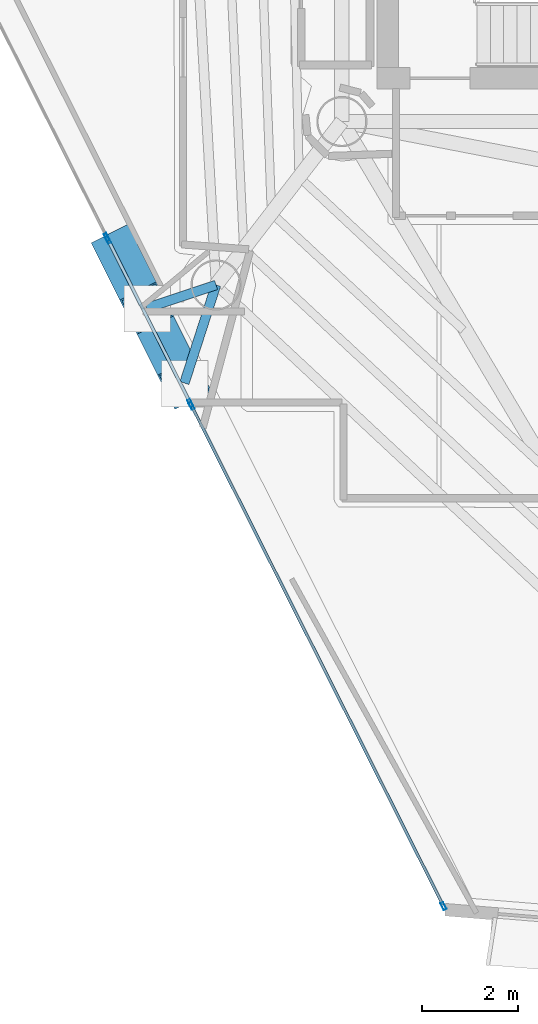
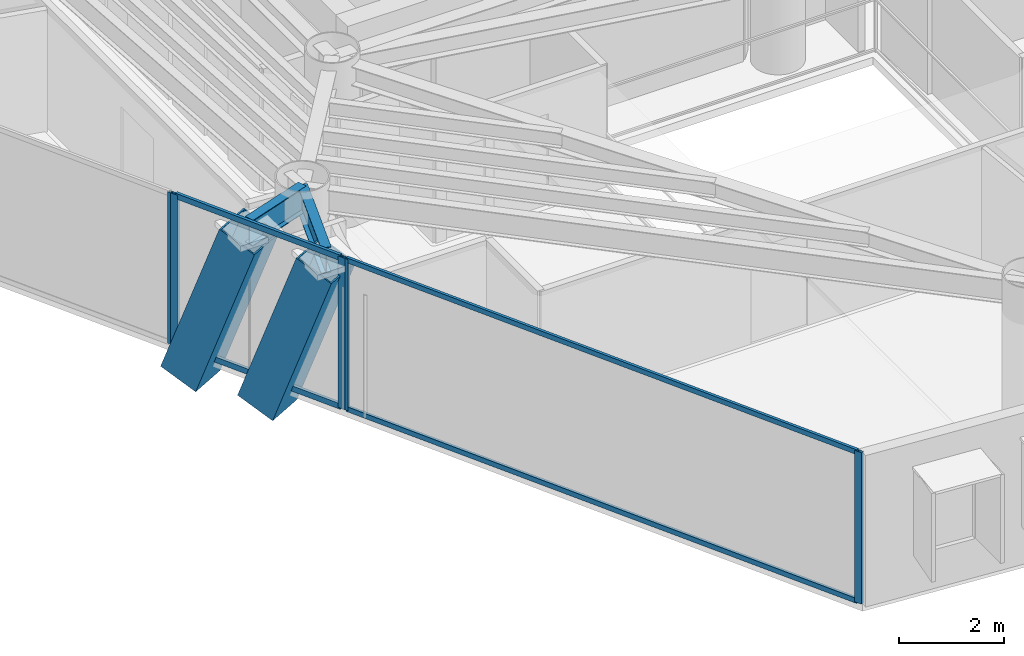
# One storey, part 2 of 19: 11 members, 2 beams, 3 elements without a shape of their own.
"""IFC4 building model written with IfcOpenShell, lengths in metres."""

from ifc_helpers import new_model, si_unit, direction, frame, origin, origin_2d, place, context, subcontext, project, spatial, hollow_rectangle, i_section, extrude, material, layer, layer_set, material_profile, profile_set, type_object, element, aggregate, save


model = new_model("IFC4")

# Units and contexts
model_context = context("Model", 3, precision=1e-05, world=origin(), true_north=direction((0.0, 1.0)))
body_context = subcontext(model_context, "Body", "Model", "MODEL_VIEW")
ifc_project = project(units=[si_unit("LENGTHUNIT", "METRE"), si_unit("AREAUNIT", "SQUARE_METRE"), si_unit("VOLUMEUNIT", "CUBIC_METRE"), si_unit("PLANEANGLEUNIT", "RADIAN"), si_unit("MASSUNIT", "GRAM", prefix="KILO")], contexts=[model_context])

# Site, building, storey
site_placement = place(None, origin())
site = spatial("IfcSite", under=ifc_project, at=site_placement, CompositionType="ELEMENT")
building_placement = place(site_placement, origin())
building = spatial("IfcBuilding", under=site, at=building_placement, Name="Qianvela Tower", CompositionType="ELEMENT")
storey_placement = place(building_placement, frame((0.0, 0.0, 261.199951171875)))
storey = spatial("IfcBuildingStorey", under=building, at=storey_placement, Name="L67", CompositionType="ELEMENT", Elevation=261.199951171875)

# Beams
ifc_material_1 = material(Name="Steel Q355B", Category="steel")
ifc_material_profile_1 = material_profile(ifc_material_1, i_section(OverallWidth=0.199951171875, OverallDepth=0.60009765625, WebThickness=0.010986328125, FlangeThickness=0.01708984375, at=origin_2d()), Name="HN600x200x11x17")
ifc_profile_set_1 = profile_set([ifc_material_profile_1], Name="Steel Q355B")
beam_type = type_object("IfcBeamType", Name="BM-HN600-GIRD", PredefinedType="BEAM", material=ifc_profile_set_1)
beam_1_placement = place(storey_placement, frame((25.971923828125, 20.43701171875, 3.218017578125), z_axis=(-0.948667307165, -0.316275734632, 0.0), x_axis=(0.316275734632, -0.948667307165, 0.0)))
element("IfcBeam", 1, at=beam_1_placement, inside=storey, type_object=beam_type, Name="L67 Mega-Brace Column Tie Bracket F2-1", PredefinedType="BEAM", context=body_context, shape_type="SweptSolid", body=[
    extrude(i_section(OverallWidth=0.199951171875, OverallDepth=0.60009765625, WebThickness=0.010986328125, FlangeThickness=0.01708984375, at=origin_2d()), origin(), (0.0, 0.0, 1.0), 1.52685546875),
])
beam_2_placement = place(storey_placement, frame((25.971923828125, 20.43701171875, 3.218017578125), z_axis=(-0.306853626305, -0.951756718927, 0.0), x_axis=(0.951756718927, -0.306853626305, 0.0)))
element("IfcBeam", 2, at=beam_2_placement, inside=storey, type_object=beam_type, Name="L67 Mega-Brace Column Tie Bracket F2-2", PredefinedType="BEAM", context=body_context, shape_type="SweptSolid", body=[
    extrude(i_section(OverallWidth=0.199951171875, OverallDepth=0.60009765625, WebThickness=0.010986328125, FlangeThickness=0.01708984375, at=origin_2d()), origin(), (0.0, 0.0, 1.0), 2.152099609375),
])

# Curtain wall, members
ifc_material_2 = material(Name="Anodised Architectural Aluminium and Insulated Spandrel Panel", Category="aluminium")
ifc_layer_1 = layer(ifc_material_2, 0.179931640625)
ifc_layer_set_1 = layer_set([ifc_layer_1], Name="Anodised Architectural Aluminium and Insulated Spandrel Panel")
curtain_wall_type_1 = type_object("IfcCurtainWallType", Name="CW-BRACEBAY", PredefinedType="USERDEFINED", material=ifc_layer_set_1)
curtain_wall_1_placement = place(storey_placement, origin())
curtain_wall_1 = element("IfcCurtainWall", 3, at=curtain_wall_1_placement, inside=storey, type_object=curtain_wall_type_1, Name="L67 CW-BRACEBAY Curtain Wall 04B", ObjectType="CURTAIN_WALL_SYSTEM", PredefinedType="USERDEFINED")
ifc_material_3 = material(Name="Anodised Architectural Aluminium 6063-T6", Category="aluminium")
ifc_material_profile_2 = material_profile(ifc_material_3, hollow_rectangle(XDim=0.06494140625, YDim=0.159912109375, WallThickness=0.0048828125, at=origin_2d()), Name="ALU-MULL-65x160")
ifc_profile_set_2 = profile_set([ifc_material_profile_2], Name="Anodised Architectural Aluminium 6063-T6")
member_type_1 = type_object("IfcMemberType", Name="CW-BRACEBAY-MULL", PredefinedType="MULLION", material=ifc_profile_set_2)
member_1_placement = place(storey_placement, frame((23.716552734375, 21.379150390625, 0.0), z_axis=(0.0, 0.0, 1.0), x_axis=(0.893212582067, 0.449634610809, 0.0)))
member_1 = element("IfcMember", 4, at=member_1_placement, type_object=member_type_1, Name="CW-9 mullion 1", PredefinedType="MULLION", context=body_context, shape_type="SweptSolid", body=[
    extrude(hollow_rectangle(XDim=0.06494140625, YDim=0.159912109375, WallThickness=0.0048828125, at=origin_2d()), origin(), (0.0, 0.0, 1.0), 3.52001953125),
])
member_2_placement = place(storey_placement, frame((25.431884765625, 17.971435546875, 0.0), z_axis=(0.0, 0.0, 1.0), x_axis=(0.893212582067, 0.449634610809, 0.0)))
member_2 = element("IfcMember", 5, at=member_2_placement, type_object=member_type_1, Name="CW-9 mullion 2", PredefinedType="MULLION", context=body_context, shape_type="SweptSolid", body=[
    extrude(hollow_rectangle(XDim=0.06494140625, YDim=0.159912109375, WallThickness=0.0048828125, at=origin_2d()), origin(), (0.0, 0.0, 1.0), 3.52001953125),
])
ifc_material_4 = material(Name="Anodised Architectural Aluminium 6063-T6", Category="aluminium")
ifc_material_profile_3 = material_profile(ifc_material_4, hollow_rectangle(XDim=0.06494140625, YDim=0.1298828125, WallThickness=0.00439453125, at=origin_2d()), Name="ALU-TRAN-65x130")
ifc_profile_set_3 = profile_set([ifc_material_profile_3], Name="Anodised Architectural Aluminium 6063-T6")
member_type_2 = type_object("IfcMemberType", Name="CW-BRACEBAY-TRAN", PredefinedType="USERDEFINED", material=ifc_profile_set_3)
member_3_placement = place(storey_placement, frame((23.731201171875, 21.35009765625, 0.032470703125), z_axis=(0.449659757233, -0.893199923156, 0.0), x_axis=(0.893199923156, 0.449659757233, 0.0)))
member_3 = element("IfcMember", 6, at=member_3_placement, type_object=member_type_2, Name="CW-9 transom 1.1", ObjectType="TRANSOM", PredefinedType="USERDEFINED", context=body_context, shape_type="SweptSolid", body=[
    extrude(hollow_rectangle(XDim=0.06494140625, YDim=0.1298828125, WallThickness=0.00439453125, at=origin_2d()), origin(), (0.0, 0.0, 1.0), 3.750244140625),
])
member_4_placement = place(storey_placement, frame((23.731201171875, 21.35009765625, 3.487548828125), z_axis=(0.449659757233, -0.893199923156, 0.0), x_axis=(0.893199923156, 0.449659757233, 0.0)))
member_4 = element("IfcMember", 7, at=member_4_placement, type_object=member_type_2, Name="CW-9 transom 1.2", ObjectType="TRANSOM", PredefinedType="USERDEFINED", context=body_context, shape_type="SweptSolid", body=[
    extrude(hollow_rectangle(XDim=0.06494140625, YDim=0.1298828125, WallThickness=0.00439453125, at=origin_2d()), origin(), (0.0, 0.0, 1.0), 3.750244140625),
])
aggregate(curtain_wall_1, [member_1, member_2, member_3, member_4])

# Curtain wall, member
ifc_material_5 = material(Name="Anodised Architectural Aluminium and Low-E Glass", Category="aluminium")
ifc_layer_2 = layer(ifc_material_5, 0.159912109375)
ifc_layer_set_2 = layer_set([ifc_layer_2], Name="Anodised Architectural Aluminium and Low-E Glass")
curtain_wall_type_2 = type_object("IfcCurtainWallType", Name="CW-COLIV-Z56", PredefinedType="USERDEFINED", material=ifc_layer_set_2)
curtain_wall_2_placement = place(storey_placement, origin())
curtain_wall_2 = element("IfcCurtainWall", 8, at=curtain_wall_2_placement, inside=storey, type_object=curtain_wall_type_2, Name="L67 CW-COLIV-Z56 Curtain Wall 04A", ObjectType="CURTAIN_WALL_SYSTEM", PredefinedType="USERDEFINED")
ifc_material_6 = material(Name="Anodised Architectural Aluminium 6063-T6", Category="aluminium")
ifc_material_profile_4 = material_profile(ifc_material_6, hollow_rectangle(XDim=0.06494140625, YDim=0.159912109375, WallThickness=0.0048828125, at=origin_2d()), Name="ALU-MULL-65x160")
ifc_profile_set_4 = profile_set([ifc_material_profile_4], Name="Anodised Architectural Aluminium 6063-T6")
member_type_3 = type_object("IfcMemberType", Name="CW-COLIV-Z56-MULL", PredefinedType="MULLION", material=ifc_profile_set_4)
member_5_placement = place(storey_placement, frame((23.6875, 21.43701171875, 0.0), z_axis=(0.0, 0.0, 1.0), x_axis=(0.893215875141, 0.449628068959, 0.0)))
member_5 = element("IfcMember", 9, at=member_5_placement, type_object=member_type_3, Name="CW-5 mullion 2", PredefinedType="MULLION", context=body_context, shape_type="SweptSolid", body=[
    extrude(hollow_rectangle(XDim=0.06494140625, YDim=0.159912109375, WallThickness=0.0048828125, at=origin_2d()), origin(), (0.0, 0.0, 1.0), 3.52001953125),
])
aggregate(curtain_wall_2, [member_5])

# Curtain wall, members
curtain_wall_3_placement = place(storey_placement, origin())
curtain_wall_3 = element("IfcCurtainWall", 10, at=curtain_wall_3_placement, inside=storey, type_object=curtain_wall_type_2, Name="L67 CW-COLIV-Z56 Curtain Wall 04C", ObjectType="CURTAIN_WALL_SYSTEM", PredefinedType="USERDEFINED")
member_6_placement = place(storey_placement, frame((25.461181640625, 17.913330078125, 0.0), z_axis=(0.0, 0.0, 1.0), x_axis=(0.893215234087, 0.449629342454, 0.0)))
member_6 = element("IfcMember", 11, at=member_6_placement, type_object=member_type_3, Name="CW-5 mullion 1", PredefinedType="MULLION", context=body_context, shape_type="SweptSolid", body=[
    extrude(hollow_rectangle(XDim=0.06494140625, YDim=0.159912109375, WallThickness=0.0048828125, at=origin_2d()), origin(), (0.0, 0.0, 1.0), 3.52001953125),
])
member_7_placement = place(storey_placement, frame((30.7216796875, 7.462890625, 0.0), z_axis=(0.0, 0.0, 1.0), x_axis=(0.893215234087, 0.449629342454, 0.0)))
member_7 = element("IfcMember", 12, at=member_7_placement, type_object=member_type_3, Name="CW-5 mullion 2", PredefinedType="MULLION", context=body_context, shape_type="SweptSolid", body=[
    extrude(hollow_rectangle(XDim=0.06494140625, YDim=0.159912109375, WallThickness=0.0048828125, at=origin_2d()), origin(), (0.0, 0.0, 1.0), 3.52001953125),
])
ifc_material_7 = material(Name="Anodised Architectural Aluminium 6063-T6", Category="aluminium")
ifc_material_profile_5 = material_profile(ifc_material_7, hollow_rectangle(XDim=0.06005859375, YDim=0.114990234375, WallThickness=0.00390625, at=origin_2d()), Name="ALU-TRAN-60x115")
ifc_profile_set_5 = profile_set([ifc_material_profile_5], Name="Anodised Architectural Aluminium 6063-T6")
member_type_4 = type_object("IfcMemberType", Name="CW-COLIV-Z56-TRAN", PredefinedType="USERDEFINED", material=ifc_profile_set_5)
member_8_placement = place(storey_placement, frame((25.475830078125, 17.88427734375, 0.030029296875), z_axis=(0.449637660836, -0.893211046706, 0.0), x_axis=(0.893211046706, 0.449637660836, 0.0)))
member_8 = element("IfcMember", 13, at=member_8_placement, type_object=member_type_4, Name="CW-5 transom 1.1", ObjectType="TRANSOM", PredefinedType="USERDEFINED", context=body_context, shape_type="SweptSolid", body=[
    extrude(hollow_rectangle(XDim=0.06005859375, YDim=0.114990234375, WallThickness=0.00390625, at=origin_2d()), origin(), (0.0, 0.0, 1.0), 11.634765625),
])
member_9_placement = place(storey_placement, frame((25.475830078125, 17.88427734375, 3.489990234375), z_axis=(0.449637660836, -0.893211046706, 0.0), x_axis=(0.893211046706, 0.449637660836, 0.0)))
member_9 = element("IfcMember", 14, at=member_9_placement, type_object=member_type_4, Name="CW-5 transom 1.2", ObjectType="TRANSOM", PredefinedType="USERDEFINED", context=body_context, shape_type="SweptSolid", body=[
    extrude(hollow_rectangle(XDim=0.06005859375, YDim=0.114990234375, WallThickness=0.00390625, at=origin_2d()), origin(), (0.0, 0.0, 1.0), 11.634765625),
])
aggregate(curtain_wall_3, [member_6, member_7, member_8, member_9])

# Members
ifc_material_8 = material(Name="Steel Q420GJC", Category="steel")
ifc_material_profile_6 = material_profile(ifc_material_8, hollow_rectangle(XDim=0.85009765625, YDim=0.85009765625, WallThickness=0.031982421875, at=origin_2d()), Name="MBOX-850x850x32")
ifc_profile_set_6 = profile_set([ifc_material_profile_6], Name="Steel Q420GJC")
member_type_5 = type_object("IfcMemberType", Name="MBR-MBRACE-850", PredefinedType="BRACE", material=ifc_profile_set_6)
member_10_placement = place(storey_placement, frame((23.921630859375, 21.14990234375, -0.48193359375), z_axis=(0.152949111606, -0.303912676936, 0.940342306852), x_axis=(0.893256965407, 0.449546431141, 0.0)))
element("IfcMember", 15, at=member_10_placement, inside=storey, type_object=member_type_5, Name="L67 Tier 11 Exterior Mega-Brace F2A", PredefinedType="BRACE", context=body_context, shape_type="SweptSolid", body=[
    extrude(hollow_rectangle(XDim=0.85009765625, YDim=0.85009765625, WallThickness=0.031982421875, at=origin_2d()), origin(), (0.0, 0.0, 1.0), 3.9345703125),
])
member_11_placement = place(storey_placement, frame((24.70947265625, 19.58447265625, -0.48193359375), z_axis=(0.153009707541, -0.303909792189, 0.940333381099), x_axis=(0.893183726262, 0.449691929147, 0.0)))
element("IfcMember", 16, at=member_11_placement, inside=storey, type_object=member_type_5, Name="L67 Tier 11 Exterior Mega-Brace F2B", PredefinedType="BRACE", context=body_context, shape_type="SweptSolid", body=[
    extrude(hollow_rectangle(XDim=0.85009765625, YDim=0.85009765625, WallThickness=0.031982421875, at=origin_2d()), origin(), (0.0, 0.0, 1.0), 3.934814453125),
])

save(model, "model.ifc")
